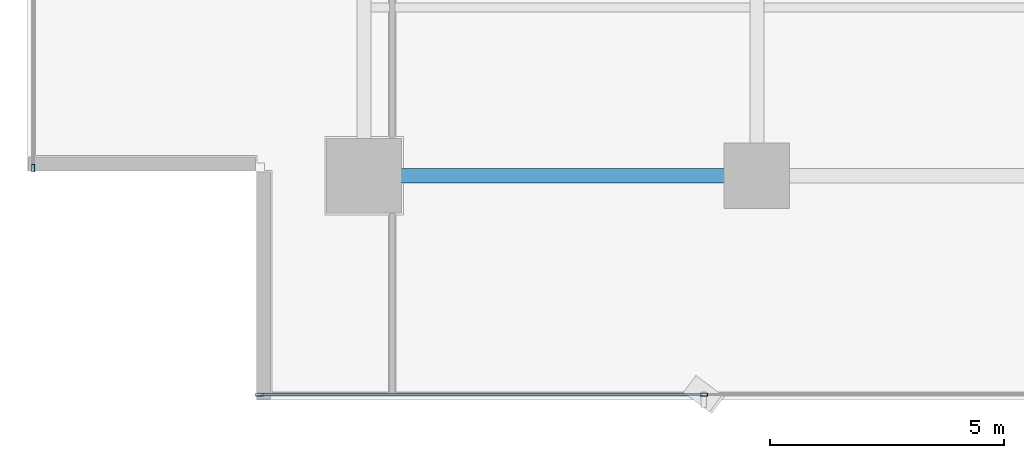
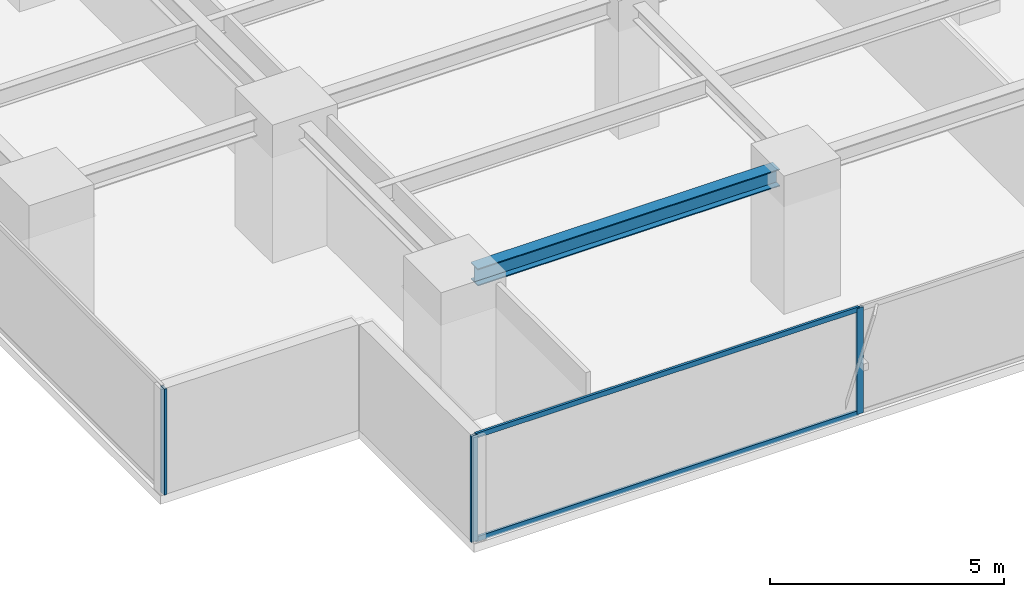
# One storey, part 2 of 27: 5 members, 1 beam, 2 elements without a shape of their own.
"""IFC4 building model written with IfcOpenShell, lengths in metres."""

import ifcopenshell
import ifcopenshell.guid

model = None  # the IFC model being written
_history = None  # IfcOwnerHistory: only IFC2X3 demands one
_inside = {}  # id of a spatial element -> (the spatial element, [elements in it])
_under = {}  # id of a project, library or spatial element -> (it, [spatial elements below it])
_declared = {}  # id of a project -> (the project, [libraries it declares])
_typed = {}  # id of a type object -> (the type object, [elements of that type])
_made_of = {}  # id of a material, layer set ... -> (it, [elements and type objects made of it])


def new_model(schema):
    """Start an empty IFC model of exactly this schema.

    Asked for "IFC4X3", IfcOpenShell would pick the latest addendum, in which some entities
    have other attributes; the version numbers below select the first issue.
    IFC2X3 requires an IfcOwnerHistory on every rooted entity: one is made here for all.
    """
    global model, _history
    if schema == "IFC4X3":
        model = ifcopenshell.file(schema_version=(4, 3, 0, 0))
    else:
        model = ifcopenshell.file(schema=schema)
    _inside.clear()
    _under.clear()
    _declared.clear()
    _typed.clear()
    _made_of.clear()
    _history = None
    if model.schema == "IFC2X3":
        org = make("IfcOrganization", Name="unknown")
        user = make(
            "IfcPersonAndOrganization",
            ThePerson=make("IfcPerson", FamilyName="unknown"),
            TheOrganization=org,
        )
        app = make(
            "IfcApplication",
            ApplicationDeveloper=org,
            Version="unknown",
            ApplicationFullName="unknown",
            ApplicationIdentifier="unknown",
        )
        _history = make(
            "IfcOwnerHistory",
            OwningUser=user,
            OwningApplication=app,
            ChangeAction="ADDED",
            CreationDate=0,
        )
    return model


def make(cls, **values):
    """One entity of the class cls with the attributes given. An attribute that is None is left unset."""
    return model.create_entity(
        cls, **{name: value for name, value in values.items() if value is not None}
    )


def rooted(cls, **values):
    """An entity with a GlobalId (a new one), such as an element, a storey or a relation."""
    return make(cls, GlobalId=ifcopenshell.guid.new(), OwnerHistory=_history, **values)


def si_unit(unit_type, name, prefix=None):
    """IfcSIUnit, for example si_unit("LENGTHUNIT", "METRE", prefix="MILLI")."""
    return make("IfcSIUnit", UnitType=unit_type, Prefix=prefix, Name=name)


def assignment(units):
    """IfcUnitAssignment: the units of a project."""
    return None if units is None else make("IfcUnitAssignment", Units=units)


def point(xyz):
    """IfcCartesianPoint."""
    return None if xyz is None else make("IfcCartesianPoint", Coordinates=xyz)


def direction(xyz):
    """IfcDirection."""
    return None if xyz is None else make("IfcDirection", DirectionRatios=xyz)


def frame(location, z_axis=None, x_axis=None):
    """IfcAxis2Placement3D, a coordinate frame: its origin and axes. An axis left out is left unset."""
    return make(
        "IfcAxis2Placement3D",
        Location=point(location),
        Axis=direction(z_axis),
        RefDirection=direction(x_axis),
    )


def frame_2d(location, x_axis=None):
    """IfcAxis2Placement2D, a coordinate frame in the plane: its origin and x axis."""
    return make(
        "IfcAxis2Placement2D", Location=point(location), RefDirection=direction(x_axis)
    )


def origin():
    """The frame at (0, 0, 0) with its axes left unset."""
    return frame((0.0, 0.0, 0.0))


def origin_2d():
    """The frame at (0, 0) in the plane with its x axis left unset."""
    return frame_2d((0.0, 0.0))


def place(relative_to, where):
    """IfcLocalPlacement: puts the frame where relative to a parent placement (None: the world)."""
    return make(
        "IfcLocalPlacement", PlacementRelTo=relative_to, RelativePlacement=where
    )


def context(
    kind, dimensions, precision=None, world=None, true_north=None, identifier=None
):
    """IfcGeometricRepresentationContext, for example the 3D "Model" context."""
    return make(
        "IfcGeometricRepresentationContext",
        ContextIdentifier=identifier,
        ContextType=kind,
        CoordinateSpaceDimension=dimensions,
        Precision=precision,
        WorldCoordinateSystem=world,
        TrueNorth=true_north,
    )


def subcontext(parent, identifier, kind, view, scale=None):
    """IfcGeometricRepresentationSubContext, for example "Body" below "Model"."""
    return make(
        "IfcGeometricRepresentationSubContext",
        ContextIdentifier=identifier,
        ContextType=kind,
        ParentContext=parent,
        TargetScale=scale,
        TargetView=view,
    )


def project(units=None, contexts=None):
    """IfcProject with its units and contexts."""
    return rooted(
        "IfcProject",
        Name="project",
        RepresentationContexts=contexts,
        UnitsInContext=assignment(units),
    )


def spatial(cls, under=None, at=None, **own):
    """A site, building, storey or space (cls), placed at a placement, below another one or the project."""
    s = rooted(cls, ObjectPlacement=at, **own)
    if under is not None:
        _under.setdefault(under.id(), (under, []))[1].append(s)
    return s


def profile(cls, at=None, kind="AREA", **sizes):
    """A parametric profile (cls). Its sizes go by their IFC names, for example OverallWidth=200.0."""
    return make(cls, ProfileType=kind, Position=at, **sizes)


def hollow_rectangle(**sizes):
    """IfcRectangleHollowProfileDef."""
    return profile("IfcRectangleHollowProfileDef", **sizes)


def i_section(**sizes):
    """IfcIShapeProfileDef."""
    return profile("IfcIShapeProfileDef", **sizes)


def extrude(swept, where, along, depth):
    """IfcExtrudedAreaSolid: the profile swept, set in the frame where, extruded along a direction by depth."""
    return make(
        "IfcExtrudedAreaSolid",
        SweptArea=swept,
        Position=where,
        ExtrudedDirection=direction(along),
        Depth=depth,
    )


def shape(context_of_items, identifier, shape_type, items):
    """IfcShapeRepresentation: the items that make up one representation, for example the "Body"."""
    return make(
        "IfcShapeRepresentation",
        ContextOfItems=context_of_items,
        RepresentationIdentifier=identifier,
        RepresentationType=shape_type,
        Items=items,
    )


def source(mapping_origin, context_of_items, identifier, shape_type, items):
    """IfcRepresentationMap: a shape defined once, which mapped items show again and again."""
    return make(
        "IfcRepresentationMap",
        MappingOrigin=mapping_origin,
        MappedRepresentation=shape(context_of_items, identifier, shape_type, items),
    )


def transform(
    local_origin,
    x_axis=None,
    y_axis=None,
    z_axis=None,
    scale=None,
    scale2=None,
    scale3=None,
    uniform=True,
):
    """IfcCartesianTransformationOperator3D, or its non-uniform kind. x_axis, y_axis, z_axis: its Axis1, 2, 3."""
    if uniform:
        return make(
            "IfcCartesianTransformationOperator3D",
            Axis1=direction(x_axis),
            Axis2=direction(y_axis),
            LocalOrigin=point(local_origin),
            Scale=scale,
            Axis3=direction(z_axis),
        )
    return make(
        "IfcCartesianTransformationOperator3DnonUniform",
        Axis1=direction(x_axis),
        Axis2=direction(y_axis),
        LocalOrigin=point(local_origin),
        Scale=scale,
        Axis3=direction(z_axis),
        Scale2=scale2,
        Scale3=scale3,
    )


def mapped(mapping_source, mapping_target):
    """IfcMappedItem: shows the shape of a source again, moved by a transform."""
    return make(
        "IfcMappedItem", MappingSource=mapping_source, MappingTarget=mapping_target
    )


def material(Name=None, Category=None):
    """IfcMaterial."""
    return make("IfcMaterial", Name=Name, Category=Category)


def layer(
    of_material, thickness, ventilated=None, Name=None, Category=None, Priority=None
):
    """IfcMaterialLayer: one layer of a wall or slab, of a material (None: an air gap)."""
    return make(
        "IfcMaterialLayer",
        Material=of_material,
        LayerThickness=thickness,
        IsVentilated=ventilated,
        Name=Name,
        Category=Category,
        Priority=Priority,
    )


def layer_set(layers, Name=None):
    """IfcMaterialLayerSet."""
    return make("IfcMaterialLayerSet", MaterialLayers=layers, LayerSetName=Name)


def material_profile(
    of_material, cross_section, Name=None, Category=None, Priority=None
):
    """IfcMaterialProfile: a cross section and its material."""
    return make(
        "IfcMaterialProfile",
        Name=Name,
        Material=of_material,
        Profile=cross_section,
        Priority=Priority,
        Category=Category,
    )


def profile_set(profiles, Name=None, composite=None):
    """IfcMaterialProfileSet."""
    return make(
        "IfcMaterialProfileSet",
        Name=Name,
        MaterialProfiles=profiles,
        CompositeProfile=composite,
    )


def made_of(thing, what):
    """Note that an element or type object is made of a material, layer set ...; save() writes the relation."""
    if what is not None:
        _made_of.setdefault(what.id(), (what, []))[1].append(thing)
    return thing


def type_object(cls, material=None, **own):
    """A type object (cls), such as IfcWallType, which elements share."""
    return made_of(rooted(cls, **own), material)


def element(
    cls,
    number,
    at=None,
    inside=None,
    cuts=None,
    type_object=None,
    material=None,
    context=None,
    identifier="Body",
    shape_type=None,
    held_by="IfcProductDefinitionShape",
    body=None,
    shapes=None,
    **own,
):
    """One element of the class cls, such as IfcWall. Its Tag is "e" and its number.

    at: its placement. inside: the storey or other place that contains it. cuts: it is an
    opening in that element (IfcRelVoidsElement). A single representation is given by context,
    identifier, shape_type and body (its items); several are given by shapes. held_by: the class
    of the entity that holds the representations. save() writes the other relations.
    """
    e = rooted(cls, Tag="e%d" % number, ObjectPlacement=at, **own)
    if body is not None:
        shapes = [shape(context, identifier, shape_type, body)]
    if shapes is not None:
        e.Representation = make(held_by, Representations=shapes)
    if inside is not None:
        _inside.setdefault(inside.id(), (inside, []))[1].append(e)
    if cuts is not None:
        rooted(
            "IfcRelVoidsElement", RelatingBuildingElement=cuts, RelatedOpeningElement=e
        )
    if type_object is not None:
        _typed.setdefault(type_object.id(), (type_object, []))[1].append(e)
    return made_of(e, material)


def aggregate(whole, parts):
    """IfcRelAggregates: a whole, such as a stair, and the parts it consists of."""
    return rooted("IfcRelAggregates", RelatingObject=whole, RelatedObjects=parts)


def save(model, path):
    """Write the relations noted so far, then the file.

    IfcRelAggregates (storeys below a building ...), IfcRelContainedInSpatialStructure (elements
    in a storey), IfcRelDefinesByType, IfcRelAssociatesMaterial and IfcRelDeclares: one each for
    every whole, place, type object, material and project.
    """
    for whole, parts in _under.values():
        aggregate(whole, parts)
    for where, things in _inside.values():
        rooted(
            "IfcRelContainedInSpatialStructure",
            RelatedElements=things,
            RelatingStructure=where,
        )
    for kind, things in _typed.values():
        rooted("IfcRelDefinesByType", RelatedObjects=things, RelatingType=kind)
    for what, things in _made_of.values():
        rooted("IfcRelAssociatesMaterial", RelatedObjects=things, RelatingMaterial=what)
    for by, libraries in _declared.values():
        rooted("IfcRelDeclares", RelatingContext=by, RelatedDefinitions=libraries)
    model.write(path)


model = new_model("IFC4")

# Units and contexts
model_context = context("Model", 3, precision=1e-05, world=origin(), true_north=direction((0.0, 1.0)))
body_context = subcontext(model_context, "Body", "Model", "MODEL_VIEW")
ifc_project = project(units=[si_unit("LENGTHUNIT", "METRE"), si_unit("AREAUNIT", "SQUARE_METRE"), si_unit("VOLUMEUNIT", "CUBIC_METRE"), si_unit("PLANEANGLEUNIT", "RADIAN"), si_unit("MASSUNIT", "GRAM", prefix="KILO")], contexts=[model_context])

# Site, building, storey
site_placement = place(None, origin())
site = spatial("IfcSite", under=ifc_project, at=site_placement, CompositionType="ELEMENT")
building_placement = place(site_placement, origin())
building = spatial("IfcBuilding", under=site, at=building_placement, Name="Sumidabori Civic Tower", CompositionType="ELEMENT")
storey_placement = place(building_placement, frame((0.0, 0.0, 138.800048828125)))
storey = spatial("IfcBuildingStorey", under=building, at=storey_placement, Name="L35", CompositionType="ELEMENT", Elevation=138.800048828125)

# Beam
ifc_material_1 = material(Name="Steel SN490", Category="steel")
ifc_material_profile_1 = material_profile(ifc_material_1, i_section(OverallWidth=0.300048828125, OverallDepth=0.449951171875, WebThickness=0.013916015625, FlangeThickness=0.02587890625, at=origin_2d()), Name="HE 450 B")
ifc_profile_set_1 = profile_set([ifc_material_profile_1], Name="Steel SN490")
beam_type = type_object("IfcBeamType", Name="BM-GIRD-450", PredefinedType="BEAM", material=ifc_profile_set_1)
shared_shape_1 = source(origin(), body_context, "Body", "SweptSolid", [
    extrude(i_section(OverallWidth=0.300048828125, OverallDepth=0.449951171875, WebThickness=0.013916015625, FlangeThickness=0.02587890625, at=origin_2d()), origin(), (0.0, 0.0, 1.0), 7.440185546875),
])
beam_placement = place(storey_placement, frame((-16.320068359375, -18.0, 3.155029296875), z_axis=(1.0, 0.0, 0.0), x_axis=(0.0, 1.0, 0.0)))
element("IfcBeam", 1, at=beam_placement, inside=storey, type_object=beam_type, Name="Primary Girder L35 GX-01", PredefinedType="BEAM", context=body_context, shape_type="MappedRepresentation", body=[
    mapped(shared_shape_1, transform((0.0, 0.0, 0.0), x_axis=(1.0, 0.0, 0.0), y_axis=(0.0, 1.0, 0.0), z_axis=(0.0, 0.0, 1.0), scale=1.0)),
])

# Curtain wall, members
ifc_material_2 = material(Name="Anodised Bronze Aluminium AW-6063-T6", Category="aluminium")
ifc_layer = layer(ifc_material_2, 0.179931640625, Name="Anodised Bronze Aluminium AW-6063-T6")
ifc_layer_set = layer_set([ifc_layer], Name="Anodised Bronze Aluminium AW-6063-T6")
curtain_wall_type = type_object("IfcCurtainWallType", Name="CW-SYS-3", PredefinedType="NOTDEFINED", material=ifc_layer_set)
curtain_wall_1_placement = place(storey_placement, origin())
curtain_wall_1 = element("IfcCurtainWall", 2, at=curtain_wall_1_placement, inside=storey, type_object=curtain_wall_type, Name="Curtain Wall CW:L35:R01", PredefinedType="NOTDEFINED")
ifc_material_profile_2 = material_profile(ifc_material_2, hollow_rectangle(XDim=0.06494140625, YDim=0.159912109375, WallThickness=0.0048828125, at=origin_2d()), Name="ALU MULLION 160x65")
ifc_profile_set_2 = profile_set([ifc_material_profile_2], Name="Anodised Bronze Aluminium AW-6063-T6")
member_type_1 = type_object("IfcMemberType", Name="CW-MUL-160", PredefinedType="MULLION", material=ifc_profile_set_2)
shared_shape_2 = source(origin(), body_context, "Body", "SweptSolid", [
    extrude(hollow_rectangle(XDim=0.06494140625, YDim=0.159912109375, WallThickness=0.0048828125, at=origin_2d()), origin(), (0.0, 0.0, 1.0), 2.760009765625),
])
member_1_placement = place(storey_placement, frame((-19.03759765625, -22.679931640625, 0.0), z_axis=(0.0, 0.0, 1.0), x_axis=(0.0, 1.0, 0.0)))
member_1 = element("IfcMember", 3, at=member_1_placement, type_object=member_type_1, Name="CW-3 mullion 1", PredefinedType="MULLION", context=body_context, shape_type="MappedRepresentation", body=[
    mapped(shared_shape_2, transform((0.0, 0.0, 0.0), x_axis=(1.0, 0.0, 0.0), y_axis=(0.0, 1.0, 0.0), z_axis=(0.0, 0.0, 1.0), scale=1.0)),
])
member_2_placement = place(storey_placement, frame((-9.534912109375, -22.679931640625, 0.0), z_axis=(0.0, 0.0, 1.0), x_axis=(0.0, 1.0, 0.0)))
member_2 = element("IfcMember", 4, at=member_2_placement, type_object=member_type_1, Name="CW-3 mullion 2", PredefinedType="MULLION", context=body_context, shape_type="MappedRepresentation", body=[
    mapped(shared_shape_2, transform((0.0, 0.0, 0.0), x_axis=(1.0, 0.0, 0.0), y_axis=(0.0, 1.0, 0.0), z_axis=(0.0, 0.0, 1.0), scale=1.0)),
])

# Curtain wall, member
curtain_wall_2_placement = place(storey_placement, origin())
curtain_wall_2 = element("IfcCurtainWall", 5, at=curtain_wall_2_placement, inside=storey, type_object=curtain_wall_type, Name="Curtain Wall CW:L35:R10", PredefinedType="NOTDEFINED")
member_3_placement = place(storey_placement, frame((-23.8798828125, -17.83740234375, 0.0), z_axis=(0.0, 0.0, 1.0), x_axis=(1.0, 0.0, 0.0)))
member_3 = element("IfcMember", 6, at=member_3_placement, type_object=member_type_1, Name="CW-3 mullion 5", PredefinedType="MULLION", context=body_context, shape_type="MappedRepresentation", body=[
    mapped(shared_shape_2, transform((0.0, 0.0, 0.0), x_axis=(1.0, 0.0, 0.0), y_axis=(0.0, 1.0, 0.0), z_axis=(0.0, 0.0, 1.0), scale=1.0)),
])
aggregate(curtain_wall_2, [member_3])

# Member
ifc_material_profile_3 = material_profile(ifc_material_2, hollow_rectangle(XDim=0.06005859375, YDim=0.1298828125, WallThickness=0.0048828125, at=origin_2d()), Name="ALU TRANSOM 130x60")
ifc_profile_set_3 = profile_set([ifc_material_profile_3], Name="Anodised Bronze Aluminium AW-6063-T6")
member_type_2 = type_object("IfcMemberType", Name="CW-TRN-130", PredefinedType="USERDEFINED", material=ifc_profile_set_3)
shared_shape_3 = source(origin(), body_context, "Body", "SweptSolid", [
    extrude(hollow_rectangle(XDim=0.06005859375, YDim=0.1298828125, WallThickness=0.0048828125, at=origin_2d()), origin(), (0.0, 0.0, 1.0), 9.4375),
])
member_4_placement = place(storey_placement, frame((-19.0048828125, -22.679931640625, 0.030029296875), z_axis=(1.0, 0.0, 0.0), x_axis=(0.0, 1.0, 0.0)))
member_4 = element("IfcMember", 7, at=member_4_placement, type_object=member_type_2, Name="CW-3 transom 1.1", ObjectType="TRANSOM", PredefinedType="USERDEFINED", context=body_context, shape_type="MappedRepresentation", body=[
    mapped(shared_shape_3, transform((0.0, 0.0, 0.0), x_axis=(1.0, 0.0, 0.0), y_axis=(0.0, 1.0, 0.0), z_axis=(0.0, 0.0, 1.0), scale=1.0)),
])

member_5_placement = place(storey_placement, frame((-19.0048828125, -22.679931640625, 2.72998046875), z_axis=(1.0, 0.0, 0.0), x_axis=(0.0, 1.0, 0.0)))
member_5 = element("IfcMember", 8, at=member_5_placement, type_object=member_type_2, Name="CW-3 transom 1.2", ObjectType="TRANSOM", PredefinedType="USERDEFINED", context=body_context, shape_type="MappedRepresentation", body=[
    mapped(shared_shape_3, transform((0.0, 0.0, 0.0), x_axis=(1.0, 0.0, 0.0), y_axis=(0.0, 1.0, 0.0), z_axis=(0.0, 0.0, 1.0), scale=1.0)),
])

aggregate(curtain_wall_1, [member_1, member_2, member_4, member_5])

save(model, "model.ifc")
